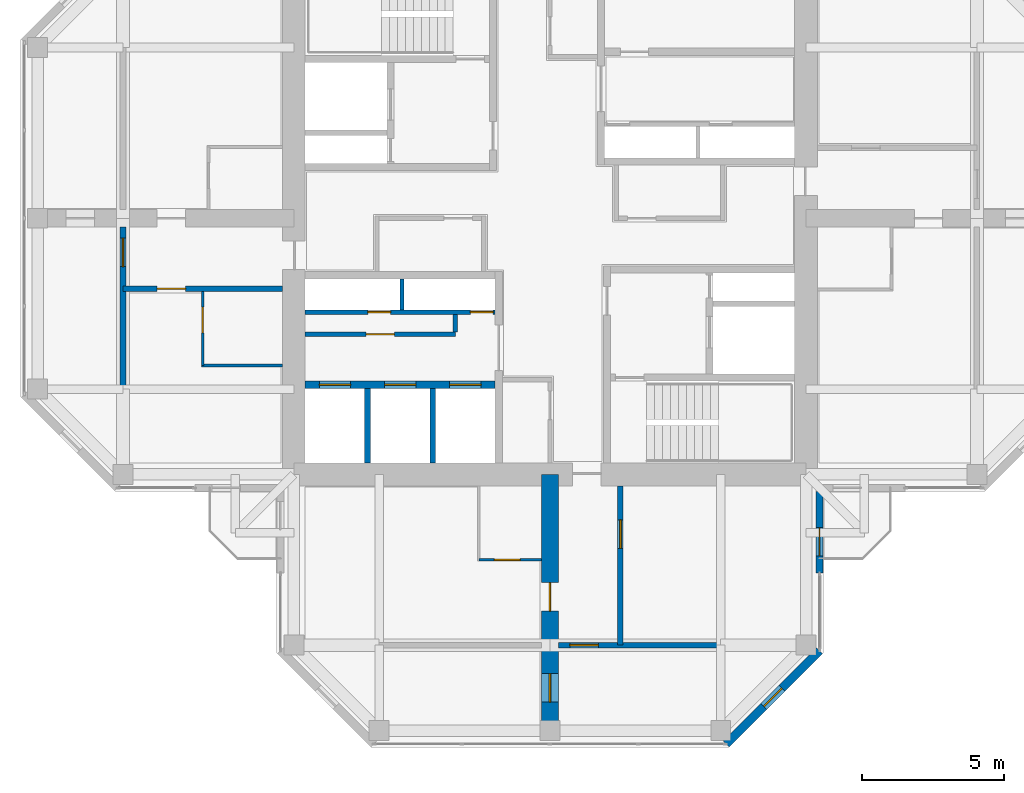
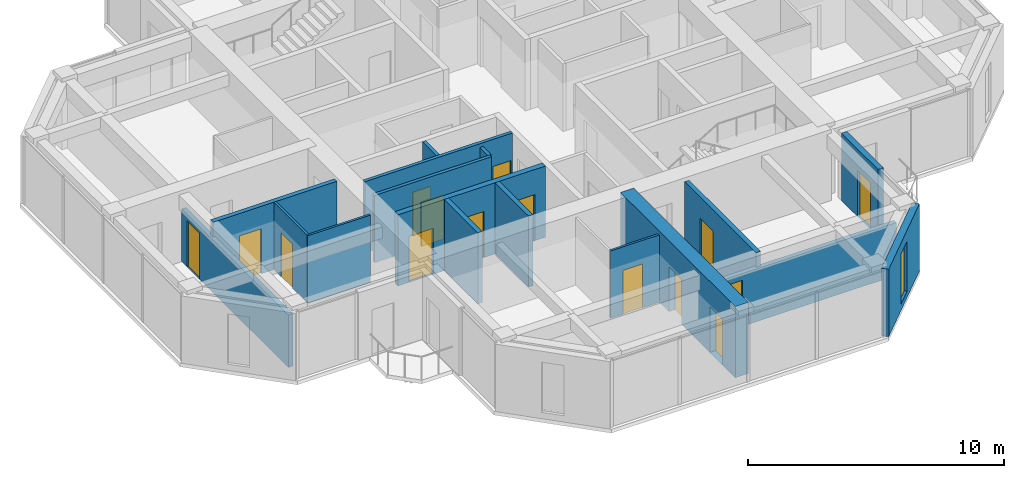
# One storey, part 8 of 13: 17 walls, 15 doors, 1 window, 16 openings.
"""IFC4 building model written with IfcOpenShell, lengths in metres."""

from ifc_helpers import new_model, si_unit, direction, frame, frame_2d, origin, place, context, subcontext, project, spatial, rectangle, hollow_rectangle, extrude, material, layer, layer_set, constituent, constituent_set, type_object, element, fill, save


model = new_model("IFC4")

# Units and contexts
model_context = context("Model", 3, precision=1e-05, world=origin(), true_north=direction((0.0, 1.0)))
body_context = subcontext(model_context, "Body", "Model", "MODEL_VIEW")
ifc_project = project(units=[si_unit("LENGTHUNIT", "METRE"), si_unit("AREAUNIT", "SQUARE_METRE"), si_unit("VOLUMEUNIT", "CUBIC_METRE"), si_unit("PLANEANGLEUNIT", "RADIAN"), si_unit("MASSUNIT", "GRAM", prefix="KILO")], contexts=[model_context])

# Site, building, storey
site_placement = place(None, origin())
site = spatial("IfcSite", under=ifc_project, at=site_placement, CompositionType="ELEMENT")
building_placement = place(site_placement, origin())
building = spatial("IfcBuilding", under=site, at=building_placement, Name="Torre Cruceta", CompositionType="ELEMENT")
storey_placement = place(building_placement, frame((0.0, 0.0, 267.89990234375)))
storey = spatial("IfcBuildingStorey", under=building, at=storey_placement, Name="L69", CompositionType="ELEMENT", Elevation=267.89990234375)

# Wall, opening, door
ifc_material_1 = material(Name="Water-resistant plasterboard on steel studs", Category="steel")
ifc_layer_1 = layer(ifc_material_1, 0.10009765625)
ifc_layer_set_1 = layer_set([ifc_layer_1], Name="Water-resistant plasterboard on steel studs")
wall_type_1 = type_object("IfcWallType", Name="BATHROOM WALL 100", PredefinedType="PARTITIONING", material=ifc_layer_set_1)
wall_1_placement = place(storey_placement, frame((-2.5, -12.0, 0.0), z_axis=(0.0, 0.0, 1.0), x_axis=(1.0, 0.0, 0.0)))
wall_1 = element("IfcWall", 1, at=wall_1_placement, inside=storey, type_object=wall_type_1, Name="PT4 L69-S-U1RBS", PredefinedType="PARTITIONING", context=body_context, shape_type="SweptSolid", body=[
    extrude(rectangle(XDim=2.199951171875, YDim=0.10009765625, at=frame_2d((1.10009765625, 0.0))), origin(), (0.0, 0.0, 1.0), 3.22021484375),
])
opening_1_placement = place(wall_1_placement, frame((0.550048828125, 0.0, 0.0)))
opening_1 = element("IfcOpeningElement", 2, at=opening_1_placement, cuts=wall_1, Name="Opening D7", PredefinedType="OPENING", context=body_context, shape_type="SweptSolid", body=[
    extrude(rectangle(XDim=0.89990234375, YDim=2.10009765625, at=frame_2d((0.449951171875, 1.050048828125))), frame((0.0, 0.06005859375, 0.0), z_axis=(0.0, -1.0, 0.0), x_axis=(1.0, 0.0, 0.0)), (0.0, 0.0, 1.0), 0.1201171875),
])
ifc_material_2 = material(Name="Timber door", Category="wood")
door_type_1 = type_object("IfcDoorType", Name="BATHROOM DOOR 900X2100", OperationType="SINGLE_SWING_LEFT", PredefinedType="DOOR", material=ifc_material_2)
door_1_placement = place(opening_1_placement, origin())
door_1 = element("IfcDoor", 3, at=door_1_placement, inside=storey, type_object=door_type_1, Name="D7 L69-S-U1RBS-D1", OperationType="SINGLE_SWING_LEFT", OverallHeight=2.10009765625, OverallWidth=0.89990234375, PredefinedType="DOOR", context=body_context, shape_type="SweptSolid", body=[
    extrude(rectangle(XDim=0.89990234375, YDim=2.10009765625, at=frame_2d((0.449951171875, 1.050048828125))), frame((0.0, 0.02490234375, 0.0), z_axis=(0.0, -1.0, 0.0), x_axis=(1.0, 0.0, 0.0)), (0.0, 0.0, 1.0), 0.050048828125),
])
fill(opening_1, door_1)

# Wall
wall_2_placement = place(storey_placement, frame((-9.39990234375, -5.175048828125, 0.0), z_axis=(0.0, 0.0, 1.0), x_axis=(-1.0, 0.0, 0.0)))
element("IfcWall", 4, at=wall_2_placement, inside=storey, type_object=wall_type_1, Name="PT4 L69-W-U1LBB", PredefinedType="PARTITIONING", context=body_context, shape_type="SweptSolid", body=[
    extrude(rectangle(XDim=2.85009765625, YDim=0.10009765625, at=frame_2d((1.425048828125, 0.0))), origin(), (0.0, 0.0, 1.0), 3.22021484375),
])

# Wall, opening, door
wall_3_placement = place(storey_placement, frame((-12.199951171875, -2.574951171875, 0.0), z_axis=(0.0, 0.0, 1.0), x_axis=(0.0, -1.0, 0.0)))
wall_3 = element("IfcWall", 5, at=wall_3_placement, inside=storey, type_object=wall_type_1, Name="PT4 L69-W-U1LBS", PredefinedType="PARTITIONING", context=body_context, shape_type="SweptSolid", body=[
    extrude(rectangle(XDim=2.60009765625, YDim=0.10009765625, at=frame_2d((1.300048828125, 0.0))), origin(), (0.0, 0.0, 1.0), 3.22021484375),
])
opening_2_placement = place(wall_3_placement, frame((0.550048828125, 0.0, 0.0)))
opening_2 = element("IfcOpeningElement", 6, at=opening_2_placement, cuts=wall_3, Name="Opening D7", PredefinedType="OPENING", context=body_context, shape_type="SweptSolid", body=[
    extrude(rectangle(XDim=0.89990234375, YDim=2.10009765625, at=frame_2d((0.449951171875, 1.050048828125))), frame((0.0, 0.06005859375, 0.0), z_axis=(0.0, -1.0, 0.0), x_axis=(1.0, 0.0, 0.0)), (0.0, 0.0, 1.0), 0.1201171875),
])
door_2_placement = place(opening_2_placement, origin())
door_2 = element("IfcDoor", 7, at=door_2_placement, inside=storey, type_object=door_type_1, Name="D7 L69-W-U1LBS-D1", OperationType="SINGLE_SWING_LEFT", OverallHeight=2.10009765625, OverallWidth=0.89990234375, PredefinedType="DOOR", context=body_context, shape_type="SweptSolid", body=[
    extrude(rectangle(XDim=0.89990234375, YDim=2.10009765625, at=frame_2d((0.449951171875, 1.050048828125))), frame((0.0, 0.02490234375, 0.0), z_axis=(0.0, -1.0, 0.0), x_axis=(1.0, 0.0, 0.0)), (0.0, 0.0, 1.0), 0.050048828125),
])
fill(opening_2, door_2)

# Wall, openings, doors
ifc_material_3 = material(Name="Concrete G60 (fck 60 MPa)", Category="concrete")
ifc_layer_2 = layer(ifc_material_3, 0.25)
ifc_layer_set_2 = layer_set([ifc_layer_2], Name="Concrete G60 (fck 60 MPa)")
wall_type_2 = type_object("IfcWallType", Name="CORE INNER WALL 250 G60", PredefinedType="SHEAR", material=ifc_layer_set_2)
wall_4_placement = place(storey_placement, frame((-1.925048828125, -5.85009765625, 0.0), z_axis=(0.0, 0.0, 1.0), x_axis=(-1.0, 0.0, 0.0)))
wall_4 = element("IfcWall", 8, at=wall_4_placement, inside=storey, type_object=wall_type_2, Name="CW4 L69 SW-LV", PredefinedType="SHEAR", context=body_context, shape_type="SweptSolid", body=[
    extrude(rectangle(XDim=6.675048828125, YDim=0.25, at=frame_2d((3.33740234375, 0.0))), origin(), (0.0, 0.0, 1.0), 3.400146484375),
])
opening_3_placement = place(wall_4_placement, frame((0.495849609375, 0.0, 0.0)))
opening_3 = element("IfcOpeningElement", 9, at=opening_3_placement, cuts=wall_4, Name="Opening LD1", PredefinedType="OPENING", context=body_context, shape_type="SweptSolid", body=[
    extrude(rectangle(XDim=1.10009765625, YDim=2.199951171875, at=frame_2d((0.550048828125, 1.10009765625))), frame((0.0, 0.135009765625, 0.0), z_axis=(0.0, -1.0, 0.0), x_axis=(1.0, 0.0, 0.0)), (0.0, 0.0, 1.0), 0.27001953125),
])
opening_4_placement = place(wall_4_placement, frame((2.78759765625, 0.0, 0.0)))
opening_4 = element("IfcOpeningElement", 10, at=opening_4_placement, cuts=wall_4, Name="Opening LD1", PredefinedType="OPENING", context=body_context, shape_type="SweptSolid", body=[
    extrude(rectangle(XDim=1.10009765625, YDim=2.199951171875, at=frame_2d((0.550048828125, 1.10009765625))), frame((0.0, 0.135009765625, 0.0), z_axis=(0.0, -1.0, 0.0), x_axis=(1.0, 0.0, 0.0)), (0.0, 0.0, 1.0), 0.27001953125),
])
opening_5_placement = place(wall_4_placement, frame((5.0791015625, 0.0, 0.0)))
opening_5 = element("IfcOpeningElement", 11, at=opening_5_placement, cuts=wall_4, Name="Opening LD1", PredefinedType="OPENING", context=body_context, shape_type="SweptSolid", body=[
    extrude(rectangle(XDim=1.10009765625, YDim=2.199951171875, at=frame_2d((0.550048828125, 1.10009765625))), frame((0.0, 0.135009765625, 0.0), z_axis=(0.0, -1.0, 0.0), x_axis=(1.0, 0.0, 0.0)), (0.0, 0.0, 1.0), 0.27001953125),
])
ifc_material_4 = material(Name="Stainless steel 1.4401", Category="steel")
door_type_2 = type_object("IfcDoorType", Name="LIFT LANDING DOOR 1100X2200", OperationType="DOUBLE_DOOR_SLIDING", PredefinedType="DOOR", material=ifc_material_4)
door_3_placement = place(opening_3_placement, origin())
door_3 = element("IfcDoor", 12, at=door_3_placement, inside=storey, type_object=door_type_2, Name="Lift landing door R1", OperationType="DOUBLE_DOOR_SLIDING", OverallHeight=2.199951171875, OverallWidth=1.10009765625, PredefinedType="DOOR", context=body_context, shape_type="SweptSolid", body=[
    extrude(rectangle(XDim=1.10009765625, YDim=2.199951171875, at=frame_2d((0.550048828125, 1.10009765625))), frame((0.0, 0.02490234375, 0.0), z_axis=(0.0, -1.0, 0.0), x_axis=(1.0, 0.0, 0.0)), (0.0, 0.0, 1.0), 0.050048828125),
])
fill(opening_3, door_3)
door_4_placement = place(opening_4_placement, origin())
door_4 = element("IfcDoor", 13, at=door_4_placement, inside=storey, type_object=door_type_2, Name="Lift landing door R2", OperationType="DOUBLE_DOOR_SLIDING", OverallHeight=2.199951171875, OverallWidth=1.10009765625, PredefinedType="DOOR", context=body_context, shape_type="SweptSolid", body=[
    extrude(rectangle(XDim=1.10009765625, YDim=2.199951171875, at=frame_2d((0.550048828125, 1.10009765625))), frame((0.0, 0.02490234375, 0.0), z_axis=(0.0, -1.0, 0.0), x_axis=(1.0, 0.0, 0.0)), (0.0, 0.0, 1.0), 0.050048828125),
])
fill(opening_4, door_4)
door_5_placement = place(opening_5_placement, origin())
door_5 = element("IfcDoor", 14, at=door_5_placement, inside=storey, type_object=door_type_2, Name="Lift landing door R3", OperationType="DOUBLE_DOOR_SLIDING", OverallHeight=2.199951171875, OverallWidth=1.10009765625, PredefinedType="DOOR", context=body_context, shape_type="SweptSolid", body=[
    extrude(rectangle(XDim=1.10009765625, YDim=2.199951171875, at=frame_2d((0.550048828125, 1.10009765625))), frame((0.0, 0.02490234375, 0.0), z_axis=(0.0, -1.0, 0.0), x_axis=(1.0, 0.0, 0.0)), (0.0, 0.0, 1.0), 0.050048828125),
])
fill(opening_5, door_5)

# Wall, opening, door
ifc_material_5 = material(Name="Concrete G25 (fck 25 MPa)", Category="concrete")
ifc_layer_3 = layer(ifc_material_5, 0.199951171875)
ifc_layer_set_3 = layer_set([ifc_layer_3], Name="Concrete G25 (fck 25 MPa)")
wall_type_3 = type_object("IfcWallType", Name="CORRIDOR WALL 200", PredefinedType="SOLIDWALL", material=ifc_layer_set_3)
wall_5_placement = place(storey_placement, frame((2.47509765625, -9.39990234375, 0.0), z_axis=(0.0, 0.0, 1.0), x_axis=(0.0, -1.0, 0.0)))
wall_5 = element("IfcWall", 15, at=wall_5_placement, inside=storey, type_object=wall_type_3, Name="PT3 L69-S-CL", PredefinedType="SOLIDWALL", context=body_context, shape_type="SweptSolid", body=[
    extrude(rectangle(XDim=5.60009765625, YDim=0.199951171875, at=frame_2d((2.800048828125, 0.0))), origin(), (0.0, 0.0, 1.0), 3.22021484375),
])
opening_6_placement = place(wall_5_placement, frame((1.199951171875, 0.0, 0.0)))
opening_6 = element("IfcOpeningElement", 16, at=opening_6_placement, cuts=wall_5, Name="Opening D14", PredefinedType="OPENING", context=body_context, shape_type="SweptSolid", body=[
    extrude(rectangle(XDim=1.0, YDim=2.199951171875, at=frame_2d((0.5, 1.10009765625))), frame((0.0, 0.10986328125, 0.0), z_axis=(0.0, -1.0, 0.0), x_axis=(1.0, 0.0, 0.0)), (0.0, 0.0, 1.0), 0.219970703125),
])
ifc_material_6 = material(Name="Steel DX51D", Category="steel")
ifc_constituent_1 = constituent(ifc_material_6, Name="Leaf and frame")
ifc_material_7 = material(Name="Polyester powder coating", Category="paint")
ifc_constituent_2 = constituent(ifc_material_7, Name="Finish")
ifc_material_8 = material(Name="Fire-resisting glass", Category="glass")
ifc_constituent_3 = constituent(ifc_material_8, Name="Vision panel")
ifc_constituent_set_1 = constituent_set(constituents=[ifc_constituent_1, ifc_constituent_2, ifc_constituent_3], Name="Steel fire door with vision panel")
door_type_3 = type_object("IfcDoorType", Name="FIRE DOOR VISION PANEL 1000X2200", OperationType="SINGLE_SWING_RIGHT", PredefinedType="DOOR", material=ifc_constituent_set_1)
door_6_placement = place(opening_6_placement, origin())
door_6 = element("IfcDoor", 17, at=door_6_placement, inside=storey, type_object=door_type_3, Name="D14 L69-S-CL-D1", OperationType="SINGLE_SWING_LEFT", OverallHeight=2.199951171875, OverallWidth=1.0, PredefinedType="DOOR", context=body_context, shape_type="SweptSolid", body=[
    extrude(rectangle(XDim=1.0, YDim=2.199951171875, at=frame_2d((0.5, 1.10009765625))), frame((0.0, 0.02490234375, 0.0), z_axis=(0.0, -1.0, 0.0), x_axis=(1.0, 0.0, 0.0)), (0.0, 0.0, 1.0), 0.050048828125),
])
fill(opening_6, door_6)

wall_6_placement = place(storey_placement, frame((-9.39990234375, -2.47509765625, 0.0), z_axis=(0.0, 0.0, 1.0), x_axis=(-1.0, 0.0, 0.0)))
wall_6 = element("IfcWall", 18, at=wall_6_placement, inside=storey, type_object=wall_type_3, Name="PT3 L69-W-CL", PredefinedType="SOLIDWALL", context=body_context, shape_type="SweptSolid", body=[
    extrude(rectangle(XDim=5.60009765625, YDim=0.199951171875, at=frame_2d((2.800048828125, 0.0))), origin(), (0.0, 0.0, 1.0), 3.22021484375),
])
opening_7_placement = place(wall_6_placement, frame((3.39990234375, 0.0, 0.0)))
opening_7 = element("IfcOpeningElement", 19, at=opening_7_placement, cuts=wall_6, Name="Opening D6", PredefinedType="OPENING", context=body_context, shape_type="SweptSolid", body=[
    extrude(rectangle(XDim=1.0, YDim=2.14990234375, at=frame_2d((0.5, 1.074951171875))), frame((0.0, 0.10986328125, 0.0), z_axis=(0.0, -1.0, 0.0), x_axis=(1.0, 0.0, 0.0)), (0.0, 0.0, 1.0), 0.219970703125),
])
ifc_material_9 = material(Name="Timber fire door", Category="wood")
door_type_4 = type_object("IfcDoorType", Name="UNIT ENTRANCE DOOR 1000X2150", OperationType="SINGLE_SWING_LEFT", PredefinedType="DOOR", material=ifc_material_9)
door_7_placement = place(opening_7_placement, origin())
door_7 = element("IfcDoor", 20, at=door_7_placement, inside=storey, type_object=door_type_4, Name="D6 L69-W-CL-D1", OperationType="SINGLE_SWING_LEFT", OverallHeight=2.14990234375, OverallWidth=1.0, PredefinedType="DOOR", context=body_context, shape_type="SweptSolid", body=[
    extrude(rectangle(XDim=1.0, YDim=2.14990234375, at=frame_2d((0.5, 1.074951171875))), frame((0.0, 0.02490234375, 0.0), z_axis=(0.0, -1.0, 0.0), x_axis=(1.0, 0.0, 0.0)), (0.0, 0.0, 1.0), 0.050048828125),
])
fill(opening_7, door_7)

# Wall, opening, window
ifc_material_10 = material(Name="Concrete G30 (fck 30 MPa)", Category="concrete")
ifc_layer_4 = layer(ifc_material_10, 0.300048828125)
ifc_layer_set_4 = layer_set([ifc_layer_4], Name="Concrete G30 (fck 30 MPa)")
wall_type_4 = type_object("IfcWallType", Name="EXPOSED CONCRETE FACADE WALL 300", PredefinedType="SOLIDWALL", material=ifc_layer_set_4)
wall_7_placement = place(storey_placement, frame((6.194580078125, -18.469970703125, 0.0), z_axis=(0.0, 0.0, 1.0), x_axis=(0.707106781187, 0.707106781187, 0.0)))
wall_7 = element("IfcWall", 21, at=wall_7_placement, inside=storey, type_object=wall_type_4, Name="EW1 facade wall L69 S chamfer 18", PredefinedType="SOLIDWALL", context=body_context, shape_type="SweptSolid", body=[
    extrude(rectangle(XDim=4.632080078125, YDim=0.300048828125, at=frame_2d((2.31591796875, 0.0))), origin(), (0.0, 0.0, 1.0), 3.22021484375),
])
opening_8_placement = place(wall_7_placement, frame((1.865966796875, 0.0, 0.300048828125)))
opening_8 = element("IfcOpeningElement", 22, at=opening_8_placement, cuts=wall_7, Name="Opening WN5", PredefinedType="OPENING", context=body_context, shape_type="SweptSolid", body=[
    extrude(rectangle(XDim=0.89990234375, YDim=2.39990234375, at=frame_2d((0.449951171875, 1.199951171875))), frame((0.0, 0.159912109375, 0.0), z_axis=(0.0, -1.0, 0.0), x_axis=(1.0, 0.0, 0.0)), (0.0, 0.0, 1.0), 0.320068359375),
])
ifc_material_11 = material(Name="Aluminium window frame", Category="aluminium")
ifc_constituent_4 = constituent(ifc_material_11, Name="Frame")
ifc_material_12 = material(Name="Laminated insulating glass unit, low-iron clear", Category="glass")
ifc_constituent_5 = constituent(ifc_material_12, Name="Glazing")
ifc_constituent_set_2 = constituent_set(constituents=[ifc_constituent_4, ifc_constituent_5], Name="Aluminium window")
window_type = type_object("IfcWindowType", Name="CHAMFER SLOT WINDOW 900X2400", PartitioningType="SINGLE_PANEL", PredefinedType="WINDOW", material=ifc_constituent_set_2)
window_placement = place(opening_8_placement, origin())
window = element("IfcWindow", 23, at=window_placement, inside=storey, type_object=window_type, Name="WN5 L69 S 1", OverallHeight=2.39990234375, OverallWidth=0.89990234375, PartitioningType="SINGLE_PANEL", PredefinedType="WINDOW", context=body_context, shape_type="SweptSolid", body=[
    extrude(hollow_rectangle(XDim=0.89990234375, YDim=2.39990234375, WallThickness=0.06005859375, at=frame_2d((0.449951171875, 1.199951171875))), frame((0.0, 0.030029296875, 0.0), z_axis=(0.0, -1.0, 0.0), x_axis=(1.0, 0.0, 0.0)), (0.0, 0.0, 1.0), 0.06005859375),
    extrude(rectangle(XDim=0.77880859375, YDim=2.27880859375, at=frame_2d((0.449951171875, 1.199951171875))), frame((0.0, 0.030029296875, 0.0), z_axis=(0.0, -1.0, 0.0), x_axis=(1.0, 0.0, 0.0)), (0.0, 0.0, 1.0), 0.06005859375),
])
fill(opening_8, window)

# Walls
ifc_material_13 = material(Name="Concrete G35 (fck 35 MPa)", Category="concrete")
ifc_layer_5 = layer(ifc_material_13, 0.199951171875)
ifc_layer_set_5 = layer_set([ifc_layer_5], Name="Concrete G35 (fck 35 MPa)")
wall_type_5 = type_object("IfcWallType", Name="LIFT SHAFT WALL 200", PredefinedType="PARTITIONING", material=ifc_layer_set_5)
for number, where, z_axis, x_axis, name in (
    (24, (-4.11669921875, -5.97509765625, 0.0), (0.0, 0.0, 1.0), (0.0, -1.0, 0.0), "SW1 L69 SW-LS1"),
    (25, (-6.408447265625, -5.97509765625, 0.0), (0.0, 0.0, 1.0), (0.0, -1.0, 0.0), "SW1 L69 SW-LS2"),
):
    element("IfcWall", number, at=place(storey_placement, frame(where, z_axis=z_axis, x_axis=x_axis)), inside=storey, type_object=wall_type_5, Name=name, PredefinedType="PARTITIONING", context=body_context, shape_type="SweptSolid", body=[
        extrude(rectangle(XDim=2.625, YDim=0.199951171875, at=frame_2d((1.3125, 0.0))), origin(), (0.0, 0.0, 1.0), 3.400146484375),
    ])

# Wall, opening, door
ifc_material_14 = material(Name="Plasterboard on steel studs", Category="steel")
ifc_layer_6 = layer(ifc_material_14, 0.14990234375)
ifc_layer_set_6 = layer_set([ifc_layer_6], Name="Plasterboard on steel studs")
wall_type_6 = type_object("IfcWallType", Name="PARTITION 150", PredefinedType="PARTITIONING", material=ifc_layer_set_6)
wall_8_placement = place(storey_placement, frame((-3.324951171875, -4.074951171875, 0.0), z_axis=(0.0, 0.0, 1.0), x_axis=(-1.0, 0.0, 0.0)))
wall_8 = element("IfcWall", 26, at=wall_8_placement, inside=storey, type_object=wall_type_6, Name="PT1 L69-CORE-SW-CUPBOARD", PredefinedType="PARTITIONING", context=body_context, shape_type="SweptSolid", body=[
    extrude(rectangle(XDim=5.275146484375, YDim=0.14990234375, at=frame_2d((2.6376953125, 0.0))), origin(), (0.0, 0.0, 1.0), 3.22021484375),
])
opening_9_placement = place(wall_8_placement, frame((2.137451171875, 0.0, 0.0)))
opening_9 = element("IfcOpeningElement", 27, at=opening_9_placement, cuts=wall_8, Name="Opening D19", PredefinedType="OPENING", context=body_context, shape_type="SweptSolid", body=[
    extrude(rectangle(XDim=1.0, YDim=2.10009765625, at=frame_2d((0.5, 1.050048828125))), frame((0.0, 0.0849609375, 0.0), z_axis=(0.0, -1.0, 0.0), x_axis=(1.0, 0.0, 0.0)), (0.0, 0.0, 1.0), 0.169921875),
])
ifc_material_15 = material(Name="Timber fire door", Category="wood")
door_type_5 = type_object("IfcDoorType", Name="CUPBOARD PAIR OF DOORS 1000X2100", OperationType="DOUBLE_DOOR_SINGLE_SWING", PredefinedType="DOOR", material=ifc_material_15)
door_8_placement = place(opening_9_placement, frame((1.0, 0.0, 0.0), z_axis=(0.0, 0.0, 1.0), x_axis=(-1.0, 0.0, 0.0)))
door_8 = element("IfcDoor", 28, at=door_8_placement, inside=storey, type_object=door_type_5, Name="D19 L69-CORE-SW-CUPBOARD-D1", OperationType="DOUBLE_DOOR_SINGLE_SWING", OverallHeight=2.10009765625, OverallWidth=1.0, PredefinedType="DOOR", context=body_context, shape_type="SweptSolid", body=[
    extrude(rectangle(XDim=1.0, YDim=2.10009765625, at=frame_2d((0.5, 1.050048828125))), frame((0.0, 0.025146484375, 0.0), z_axis=(0.0, -1.0, 0.0), x_axis=(1.0, 0.0, 0.0)), (0.0, 0.0, 1.0), 0.050048828125),
])
fill(opening_9, door_8)

# Wall
wall_9_placement = place(storey_placement, frame((-3.324951171875, -3.375, 0.0), z_axis=(0.0, 0.0, 1.0), x_axis=(0.0, -1.0, 0.0)))
element("IfcWall", 29, at=wall_9_placement, inside=storey, type_object=wall_type_6, Name="PT1 L69-CORE-SW-CUPBOARDE", PredefinedType="PARTITIONING", context=body_context, shape_type="SweptSolid", body=[
    extrude(rectangle(XDim=0.625, YDim=0.14990234375, at=frame_2d((0.3125, 0.0))), origin(), (0.0, 0.0, 1.0), 3.22021484375),
])

# Wall, openings, doors
ifc_material_16 = material(Name="Concrete block masonry", Category="masonry")
ifc_layer_7 = layer(ifc_material_16, 0.14990234375)
ifc_layer_set_7 = layer_set([ifc_layer_7], Name="Concrete block masonry")
wall_type_7 = type_object("IfcWallType", Name="RISER WALL 150", PredefinedType="PARTITIONING", material=ifc_layer_set_7)
wall_10_placement = place(storey_placement, frame((-1.925048828125, -3.300048828125, 0.0), z_axis=(0.0, 0.0, 1.0), x_axis=(-1.0, 0.0, 0.0)))
wall_10 = element("IfcWall", 30, at=wall_10_placement, inside=storey, type_object=wall_type_7, Name="SW7 L69 SW-RV", PredefinedType="PARTITIONING", context=body_context, shape_type="SweptSolid", body=[
    extrude(rectangle(XDim=6.675048828125, YDim=0.14990234375, at=frame_2d((3.33740234375, 0.0))), origin(), (0.0, 0.0, 1.0), 3.400146484375),
])
opening_10_placement = place(wall_10_placement, frame((0.074951171875, 0.0, 0.0)))
opening_10 = element("IfcOpeningElement", 31, at=opening_10_placement, cuts=wall_10, Name="Opening D5", PredefinedType="OPENING", context=body_context, shape_type="SweptSolid", body=[
    extrude(rectangle(XDim=0.800048828125, YDim=2.10009765625, at=frame_2d((0.39990234375, 1.050048828125))), frame((0.0, 0.0849609375, 0.0), z_axis=(0.0, -1.0, 0.0), x_axis=(1.0, 0.0, 0.0)), (0.0, 0.0, 1.0), 0.169921875),
])
opening_11_placement = place(wall_10_placement, frame((3.675048828125, 0.0, 0.0)))
opening_11 = element("IfcOpeningElement", 32, at=opening_11_placement, cuts=wall_10, Name="Opening D5", PredefinedType="OPENING", context=body_context, shape_type="SweptSolid", body=[
    extrude(rectangle(XDim=0.800048828125, YDim=2.10009765625, at=frame_2d((0.39990234375, 1.050048828125))), frame((0.0, 0.0849609375, 0.0), z_axis=(0.0, -1.0, 0.0), x_axis=(1.0, 0.0, 0.0)), (0.0, 0.0, 1.0), 0.169921875),
])
ifc_material_17 = material(Name="Steel DX51D", Category="steel")
ifc_constituent_6 = constituent(ifc_material_17, Name="Leaf and frame")
ifc_material_18 = material(Name="Polyester powder coating", Category="paint")
ifc_constituent_7 = constituent(ifc_material_18, Name="Finish")
ifc_constituent_set_3 = constituent_set(constituents=[ifc_constituent_6, ifc_constituent_7], Name="Steel fire door")
door_type_6 = type_object("IfcDoorType", Name="RISER ACCESS DOOR 800X2100", OperationType="SINGLE_SWING_LEFT", PredefinedType="DOOR", material=ifc_constituent_set_3)
door_9_placement = place(opening_10_placement, frame((0.800048828125, 0.0, 0.0), z_axis=(0.0, 0.0, 1.0), x_axis=(-1.0, 0.0, 0.0)))
door_9 = element("IfcDoor", 33, at=door_9_placement, inside=storey, type_object=door_type_6, Name="D5 L69 SW-RISER1", OperationType="SINGLE_SWING_RIGHT", OverallHeight=2.10009765625, OverallWidth=0.800048828125, PredefinedType="DOOR", context=body_context, shape_type="SweptSolid", body=[
    extrude(rectangle(XDim=0.800048828125, YDim=2.10009765625, at=frame_2d((0.400146484375, 1.050048828125))), frame((0.0, 0.025146484375, 0.0), z_axis=(0.0, -1.0, 0.0), x_axis=(1.0, 0.0, 0.0)), (0.0, 0.0, 1.0), 0.050048828125),
])
fill(opening_10, door_9)
door_10_placement = place(opening_11_placement, frame((0.800048828125, 0.0, 0.0), z_axis=(0.0, 0.0, 1.0), x_axis=(-1.0, 0.0, 0.0)))
door_10 = element("IfcDoor", 34, at=door_10_placement, inside=storey, type_object=door_type_6, Name="D5 L69 SW-RISER2", OperationType="SINGLE_SWING_RIGHT", OverallHeight=2.10009765625, OverallWidth=0.800048828125, PredefinedType="DOOR", context=body_context, shape_type="SweptSolid", body=[
    extrude(rectangle(XDim=0.800048828125, YDim=2.10009765625, at=frame_2d((0.400146484375, 1.050048828125))), frame((0.0, 0.025146484375, 0.0), z_axis=(0.0, -1.0, 0.0), x_axis=(1.0, 0.0, 0.0)), (0.0, 0.0, 1.0), 0.050048828125),
])
fill(opening_11, door_10)

# Wall
wall_11_placement = place(storey_placement, frame((-5.199951171875, -2.125, 0.0), z_axis=(0.0, 0.0, 1.0), x_axis=(0.0, -1.0, 0.0)))
element("IfcWall", 35, at=wall_11_placement, inside=storey, type_object=wall_type_7, Name="SW7 L69 SW-RU", PredefinedType="PARTITIONING", context=body_context, shape_type="SweptSolid", body=[
    extrude(rectangle(XDim=1.10009765625, YDim=0.14990234375, at=frame_2d((0.550048828125, 0.0))), origin(), (0.0, 0.0, 1.0), 3.400146484375),
])

# Wall, openings, doors
ifc_material_19 = material(Name="Concrete G60 (fck 60 MPa)", Category="concrete")
ifc_layer_8 = layer(ifc_material_19, 0.60009765625)
ifc_layer_set_8 = layer_set([ifc_layer_8], Name="Concrete G60 (fck 60 MPa)")
wall_type_8 = type_object("IfcWallType", Name="SPINE WALL 600 G60", PredefinedType="SHEAR", material=ifc_layer_set_8)
wall_12_placement = place(storey_placement, frame((0.0, -9.0, 0.0), z_axis=(0.0, 0.0, 1.0), x_axis=(0.0, -1.0, 0.0)))
wall_12 = element("IfcWall", 36, at=wall_12_placement, inside=storey, type_object=wall_type_8, Name="SW5 spine wall L69 S", PredefinedType="SHEAR", context=body_context, shape_type="SweptSolid", body=[
    extrude(rectangle(XDim=9.0, YDim=0.60009765625, at=frame_2d((4.5, 0.0))), origin(), (0.0, 0.0, 1.0), 3.400146484375),
])
opening_12_placement = place(wall_12_placement, frame((3.800048828125, 0.0, 0.0)))
opening_12 = element("IfcOpeningElement", 37, at=opening_12_placement, cuts=wall_12, Name="Opening D6", PredefinedType="OPENING", context=body_context, shape_type="SweptSolid", body=[
    extrude(rectangle(XDim=1.0, YDim=2.14990234375, at=frame_2d((0.5, 1.074951171875))), frame((0.0, 0.31005859375, 0.0), z_axis=(0.0, -1.0, 0.0), x_axis=(1.0, 0.0, 0.0)), (0.0, 0.0, 1.0), 0.6201171875),
])
opening_13_placement = place(wall_12_placement, frame((7.0, 0.0, 0.0)))
opening_13 = element("IfcOpeningElement", 38, at=opening_13_placement, cuts=wall_12, Name="Opening D14", PredefinedType="OPENING", context=body_context, shape_type="SweptSolid", body=[
    extrude(rectangle(XDim=1.0, YDim=2.199951171875, at=frame_2d((0.5, 1.10009765625))), frame((0.0, 0.31005859375, 0.0), z_axis=(0.0, -1.0, 0.0), x_axis=(1.0, 0.0, 0.0)), (0.0, 0.0, 1.0), 0.6201171875),
])
door_11_placement = place(opening_13_placement, origin())
door_11 = element("IfcDoor", 39, at=door_11_placement, inside=storey, type_object=door_type_3, Name="D14 L69-S-SP2", OperationType="SINGLE_SWING_LEFT", OverallHeight=2.199951171875, OverallWidth=1.0, PredefinedType="DOOR", context=body_context, shape_type="SweptSolid", body=[
    extrude(rectangle(XDim=1.0, YDim=2.199951171875, at=frame_2d((0.5, 1.10009765625))), frame((0.0, 0.02490234375, 0.0), z_axis=(0.0, -1.0, 0.0), x_axis=(1.0, 0.0, 0.0)), (0.0, 0.0, 1.0), 0.050048828125),
])
fill(opening_13, door_11)
door_12_placement = place(opening_12_placement, frame((1.0, 0.0, 0.0), z_axis=(0.0, 0.0, 1.0), x_axis=(-1.0, 0.0, 0.0)))
door_12 = element("IfcDoor", 40, at=door_12_placement, inside=storey, type_object=door_type_4, Name="D6 L69-S-SP1", OperationType="SINGLE_SWING_RIGHT", OverallHeight=2.14990234375, OverallWidth=1.0, PredefinedType="DOOR", context=body_context, shape_type="SweptSolid", body=[
    extrude(rectangle(XDim=1.0, YDim=2.14990234375, at=frame_2d((0.5, 1.074951171875))), frame((0.0, 0.025146484375, 0.0), z_axis=(0.0, -1.0, 0.0), x_axis=(1.0, 0.0, 0.0)), (0.0, 0.0, 1.0), 0.050048828125),
])
fill(opening_12, door_12)

# Wall, opening, door
ifc_material_20 = material(Name="Concrete G25 (fck 25 MPa)", Category="concrete")
ifc_layer_9 = layer(ifc_material_20, 0.199951171875)
ifc_layer_set_9 = layer_set([ifc_layer_9], Name="Concrete G25 (fck 25 MPa)")
wall_type_9 = type_object("IfcWallType", Name="UNIT SEPARATING WALL 200", PredefinedType="SOLIDWALL", material=ifc_layer_set_9)
wall_13_placement = place(storey_placement, frame((0.300048828125, -15.0, 0.0), z_axis=(0.0, 0.0, 1.0), x_axis=(1.0, 0.0, 0.0)))
wall_13 = element("IfcWall", 41, at=wall_13_placement, inside=storey, type_object=wall_type_9, Name="PT2 L69-S-ENDb", PredefinedType="SOLIDWALL", context=body_context, shape_type="SweptSolid", body=[
    extrude(rectangle(XDim=8.349853515625, YDim=0.199951171875, at=frame_2d((4.1748046875, 0.0))), origin(), (0.0, 0.0, 1.0), 2.52001953125),
])
opening_14_placement = place(wall_13_placement, frame((0.39990234375, 0.0, 0.0)))
opening_14 = element("IfcOpeningElement", 42, at=opening_14_placement, cuts=wall_13, Name="Opening D14", PredefinedType="OPENING", context=body_context, shape_type="SweptSolid", body=[
    extrude(rectangle(XDim=1.0, YDim=2.199951171875, at=frame_2d((0.5, 1.10009765625))), frame((0.0, 0.10986328125, 0.0), z_axis=(0.0, -1.0, 0.0), x_axis=(1.0, 0.0, 0.0)), (0.0, 0.0, 1.0), 0.219970703125),
])
door_13_placement = place(opening_14_placement, frame((1.0, 0.0, 0.0), z_axis=(0.0, 0.0, 1.0), x_axis=(-1.0, 0.0, 0.0)))
door_13 = element("IfcDoor", 43, at=door_13_placement, inside=storey, type_object=door_type_3, Name="D14 L69-S-ENDb-D1", OperationType="SINGLE_SWING_LEFT", OverallHeight=2.199951171875, OverallWidth=1.0, PredefinedType="DOOR", context=body_context, shape_type="SweptSolid", body=[
    extrude(rectangle(XDim=1.0, YDim=2.199951171875, at=frame_2d((0.5, 1.10009765625))), frame((0.0, 0.025146484375, 0.0), z_axis=(0.0, -1.0, 0.0), x_axis=(1.0, 0.0, 0.0)), (0.0, 0.0, 1.0), 0.050048828125),
])
fill(opening_14, door_13)

wall_14_placement = place(storey_placement, frame((-15.0, -0.300048828125, 0.0), z_axis=(0.0, 0.0, 1.0), x_axis=(0.0, -1.0, 0.0)))
wall_14 = element("IfcWall", 44, at=wall_14_placement, inside=storey, type_object=wall_type_9, Name="PT2 L69-W-ENDb", PredefinedType="SOLIDWALL", context=body_context, shape_type="SweptSolid", body=[
    extrude(rectangle(XDim=8.349853515625, YDim=0.199951171875, at=frame_2d((4.1748046875, 0.0))), origin(), (0.0, 0.0, 1.0), 2.52001953125),
])
opening_15_placement = place(wall_14_placement, frame((0.39990234375, 0.0, 0.0)))
opening_15 = element("IfcOpeningElement", 45, at=opening_15_placement, cuts=wall_14, Name="Opening D14", PredefinedType="OPENING", context=body_context, shape_type="SweptSolid", body=[
    extrude(rectangle(XDim=1.0, YDim=2.199951171875, at=frame_2d((0.5, 1.10009765625))), frame((0.0, 0.10986328125, 0.0), z_axis=(0.0, -1.0, 0.0), x_axis=(1.0, 0.0, 0.0)), (0.0, 0.0, 1.0), 0.219970703125),
])
door_14_placement = place(opening_15_placement, frame((1.0, 0.0, 0.0), z_axis=(0.0, 0.0, 1.0), x_axis=(-1.0, 0.0, 0.0)))
door_14 = element("IfcDoor", 46, at=door_14_placement, inside=storey, type_object=door_type_3, Name="D14 L69-W-ENDb-D1", OperationType="SINGLE_SWING_LEFT", OverallHeight=2.199951171875, OverallWidth=1.0, PredefinedType="DOOR", context=body_context, shape_type="SweptSolid", body=[
    extrude(rectangle(XDim=1.0, YDim=2.199951171875, at=frame_2d((0.5, 1.10009765625))), frame((0.0, 0.025146484375, 0.0), z_axis=(0.0, -1.0, 0.0), x_axis=(1.0, 0.0, 0.0)), (0.0, 0.0, 1.0), 0.050048828125),
])
fill(opening_15, door_14)

ifc_material_21 = material(Name="Concrete G30 (fck 30 MPa)", Category="concrete")
ifc_layer_10 = layer(ifc_material_21, 0.25)
ifc_layer_set_10 = layer_set([ifc_layer_10], Name="Concrete G30 (fck 30 MPa)")
wall_type_10 = type_object("IfcWallType", Name="WINTER GARDEN WALL 250", PredefinedType="SOLIDWALL", material=ifc_layer_set_10)
wall_15_placement = place(storey_placement, frame((9.469970703125, -12.469970703125, 0.0), z_axis=(0.0, 0.0, 1.0), x_axis=(0.0, 1.0, 0.0)))
wall_15 = element("IfcWall", 47, at=wall_15_placement, inside=storey, type_object=wall_type_10, Name="EW2 winter garden wall L69 19", PredefinedType="SOLIDWALL", context=body_context, shape_type="SweptSolid", body=[
    extrude(rectangle(XDim=2.875, YDim=0.25, at=frame_2d((1.4375, 0.0))), origin(), (0.0, 0.0, 1.0), 3.22021484375),
])
opening_16_placement = place(wall_15_placement, frame((0.60009765625, 0.0, 0.0)))
opening_16 = element("IfcOpeningElement", 48, at=opening_16_placement, cuts=wall_15, Name="Opening D10", PredefinedType="OPENING", context=body_context, shape_type="SweptSolid", body=[
    extrude(rectangle(XDim=1.0, YDim=2.199951171875, at=frame_2d((0.5, 1.10009765625))), frame((0.0, 0.135009765625, 0.0), z_axis=(0.0, -1.0, 0.0), x_axis=(1.0, 0.0, 0.0)), (0.0, 0.0, 1.0), 0.27001953125),
])
ifc_material_22 = material(Name="Aluminium door frame", Category="aluminium")
ifc_constituent_8 = constituent(ifc_material_22, Name="Frame")
ifc_material_23 = material(Name="Laminated safety glass", Category="glass")
ifc_constituent_9 = constituent(ifc_material_23, Name="Glazing")
ifc_constituent_set_4 = constituent_set(constituents=[ifc_constituent_8, ifc_constituent_9], Name="Aluminium glazed door")
door_type_7 = type_object("IfcDoorType", Name="BALCONY DOOR 1000X2200", OperationType="SINGLE_SWING_RIGHT", PredefinedType="DOOR", material=ifc_constituent_set_4)
door_15_placement = place(opening_16_placement, origin())
door_15 = element("IfcDoor", 49, at=door_15_placement, inside=storey, type_object=door_type_7, Name="D10 balcony door L69 19", OperationType="SINGLE_SWING_RIGHT", OverallHeight=2.199951171875, OverallWidth=1.0, PredefinedType="DOOR", context=body_context, shape_type="SweptSolid", body=[
    extrude(hollow_rectangle(XDim=1.0, YDim=2.199951171875, WallThickness=0.06005859375, at=frame_2d((0.5, 1.10009765625))), frame((0.0, 0.02490234375, 0.0), z_axis=(0.0, -1.0, 0.0), x_axis=(1.0, 0.0, 0.0)), (0.0, 0.0, 1.0), 0.050048828125),
    extrude(rectangle(XDim=0.87890625, YDim=2.078857421875, at=frame_2d((0.5, 1.10009765625))), frame((0.0, 0.02490234375, 0.0), z_axis=(0.0, -1.0, 0.0), x_axis=(1.0, 0.0, 0.0)), (0.0, 0.0, 1.0), 0.050048828125),
])
fill(opening_16, door_15)

save(model, "model.ifc")
